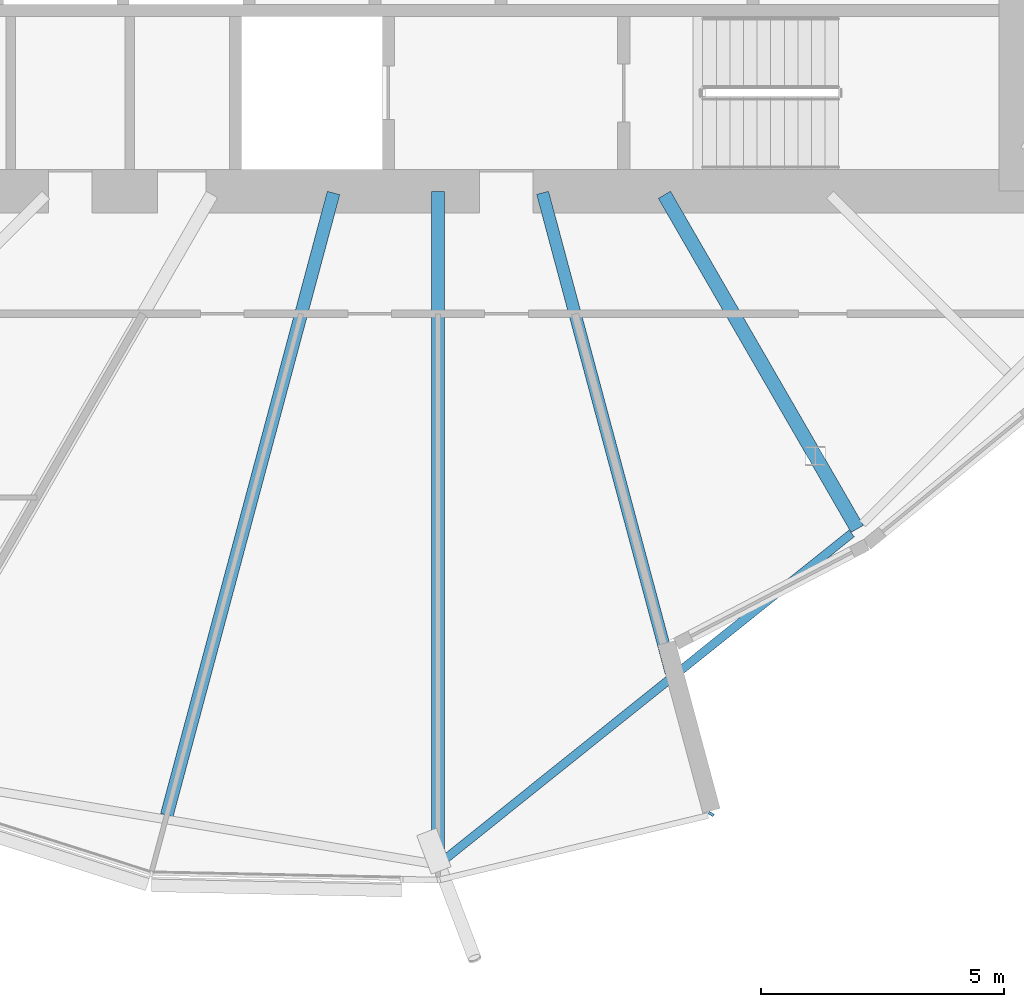
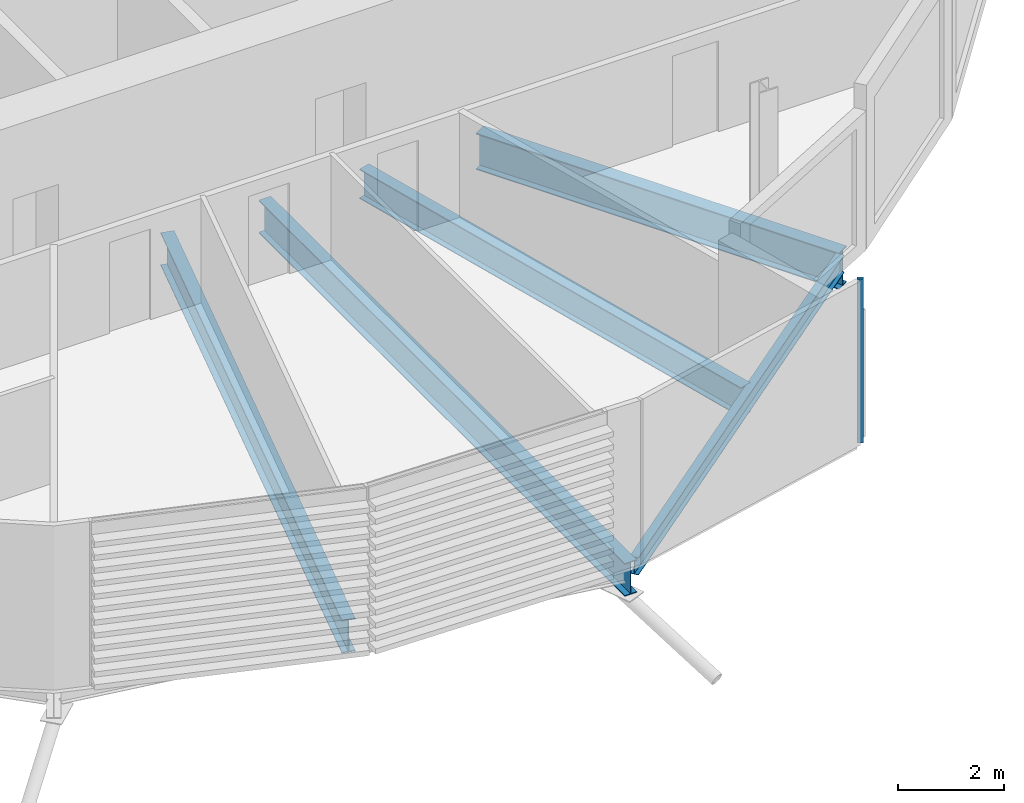
# One storey, part 12 of 38: 5 beams, 1 member, 1 element without a shape of its own.
"""IFC4 building model written with IfcOpenShell, lengths in metres."""

from ifc_helpers import new_model, si_unit, direction, frame, origin, origin_2d, place, context, subcontext, project, spatial, rectangle, i_section, extrude, material, material_profile, profile_set, type_object, element, aggregate, save


model = new_model("IFC4")

# Units and contexts
model_context = context("Model", 3, precision=1e-05, world=origin(), true_north=direction((0.0, 1.0)))
body_context = subcontext(model_context, "Body", "Model", "MODEL_VIEW")
ifc_project = project(units=[si_unit("LENGTHUNIT", "METRE"), si_unit("AREAUNIT", "SQUARE_METRE"), si_unit("VOLUMEUNIT", "CUBIC_METRE"), si_unit("PLANEANGLEUNIT", "RADIAN"), si_unit("MASSUNIT", "GRAM", prefix="KILO")], contexts=[model_context])

# Site, building, storey
site_placement = place(None, origin())
site = spatial("IfcSite", under=ifc_project, at=site_placement, CompositionType="ELEMENT")
building_placement = place(site_placement, origin())
building = spatial("IfcBuilding", under=site, at=building_placement, Name="Rimbun Link Towers", CompositionType="ELEMENT")
storey_placement = place(building_placement, frame((0.0, 0.0, 68.0)))
storey = spatial("IfcBuildingStorey", under=building, at=storey_placement, Name="L16", CompositionType="ELEMENT", Elevation=68.0)

# Curtain wall, member
ifc_material_1 = material(Name="Aluminium 6063-T6 and low-iron glass", Category="aluminium")
curtain_wall_type = type_object("IfcCurtainWallType", Name="CW1 unitised vision wall", PredefinedType="NOTDEFINED", material=ifc_material_1)
curtain_wall_placement = place(storey_placement, origin())
curtain_wall = element("IfcCurtainWall", 1, at=curtain_wall_placement, inside=storey, type_object=curtain_wall_type, Name="CW1 L16 T2", PredefinedType="NOTDEFINED")
ifc_material_2 = material(Name="Aluminium 6063-T6", Category="aluminium")
ifc_material_profile_1 = material_profile(ifc_material_2, rectangle(XDim=0.1201171875, YDim=0.06005859375, at=origin_2d()), Name="MULLION 60X120")
ifc_profile_set_1 = profile_set([ifc_material_profile_1], Name="Aluminium 6063-T6")
member_type = type_object("IfcMemberType", Name="CW1 mullion 60X120", PredefinedType="MULLION", material=ifc_profile_set_1)
member_placement = place(storey_placement, frame((37.3740234375, -20.826904296875, 0.0), z_axis=(0.0, 0.0, 1.0), x_axis=(0.859188553098, -0.511659095712, 0.0)))
member = element("IfcMember", 2, at=member_placement, type_object=member_type, Name="CW1 mullion", PredefinedType="MULLION", context=body_context, shape_type="SweptSolid", body=[
    extrude(rectangle(XDim=0.1201171875, YDim=0.06005859375, at=origin_2d()), origin(), (0.0, 0.0, 1.0), 3.800048828125),
])
aggregate(curtain_wall, [member])

# Beams
ifc_material_3 = material(Name="Steel S355J2", Category="steel")
ifc_material_profile_2 = material_profile(ifc_material_3, i_section(OverallWidth=0.177978515625, OverallDepth=0.406494140625, WebThickness=0.0078125, FlangeThickness=0.0126953125, at=origin_2d()), Name="UB 406x178x60")
ifc_profile_set_2 = profile_set([ifc_material_profile_2], Name="Steel S355J2")
beam_type_1 = type_object("IfcBeamType", Name="UB 406x178x60", PredefinedType="BEAM", material=ifc_profile_set_2)
beam_1_placement = place(storey_placement, frame((31.884033203125, -21.764404296875, -0.36328125), z_axis=(0.780405195774, 0.625274124212, 0.0), x_axis=(-0.625274124212, 0.780405195774, 0.0)))
element("IfcBeam", 3, at=beam_1_placement, inside=storey, type_object=beam_type_1, Name="Edge beam T2 L16 15-17", PredefinedType="BEAM", context=body_context, shape_type="SweptSolid", body=[
    extrude(i_section(OverallWidth=0.177978515625, OverallDepth=0.406494140625, WebThickness=0.0078125, FlangeThickness=0.0126953125, at=origin_2d()), origin(), (0.0, 0.0, 1.0), 10.74267578125),
])
ifc_material_4 = material(Name="Steel S355J2", Category="steel")
ifc_material_profile_3 = material_profile(ifc_material_4, i_section(OverallWidth=0.253662109375, OverallDepth=0.68359375, WebThickness=0.012451171875, FlangeThickness=0.01904296875, at=origin_2d()), Name="UB 686x254x140")
ifc_profile_set_3 = profile_set([ifc_material_profile_3], Name="Steel S355J2")
beam_type_2 = type_object("IfcBeamType", Name="UB 686x254x140", PredefinedType="BEAM", material=ifc_profile_set_3)
beam_2_placement = place(storey_placement, frame((33.902587890625, -8.03369140625, -0.501708984375), z_axis=(0.258820016811, -0.96592556592, 0.0), x_axis=(0.96592556592, 0.258820016811, 0.0)))
element("IfcBeam", 4, at=beam_2_placement, inside=storey, type_object=beam_type_2, Name="Radial beam T2 L16 16", PredefinedType="BEAM", context=body_context, shape_type="SweptSolid", body=[
    extrude(i_section(OverallWidth=0.253662109375, OverallDepth=0.68359375, WebThickness=0.012451171875, FlangeThickness=0.01904296875, at=origin_2d()), origin(), (0.0, 0.0, 1.0), 10.22607421875),
])
ifc_material_5 = material(Name="Steel S355J2", Category="steel")
ifc_material_profile_4 = material_profile(ifc_material_5, i_section(OverallWidth=0.2666015625, OverallDepth=0.76220703125, WebThickness=0.014404296875, FlangeThickness=0.021484375, at=origin_2d()), Name="UB 762x267x173")
ifc_profile_set_4 = profile_set([ifc_material_profile_4], Name="Steel S355J2")
beam_type_3 = type_object("IfcBeamType", Name="UB 762x267x173", PredefinedType="BEAM", material=ifc_profile_set_4)
beam_3_placement = place(storey_placement, frame((29.596923828125, -8.035400390625, -0.541015625), z_axis=(-0.258820400429, -0.965925463129, 0.0), x_axis=(0.965925463129, -0.258820400429, 0.0)))
element("IfcBeam", 5, at=beam_3_placement, inside=storey, type_object=beam_type_3, Name="Radial beam T2 L16 14", PredefinedType="BEAM", context=body_context, shape_type="SweptSolid", body=[
    extrude(i_section(OverallWidth=0.2666015625, OverallDepth=0.76220703125, WebThickness=0.014404296875, FlangeThickness=0.021484375, at=origin_2d()), origin(), (0.0, 0.0, 1.0), 13.267333984375),
])
beam_4_placement = place(storey_placement, frame((31.75, -8.0009765625, -0.541015625), z_axis=(0.0, -1.0, 0.0), x_axis=(1.0, 0.0, 0.0)))
element("IfcBeam", 6, at=beam_4_placement, inside=storey, type_object=beam_type_3, Name="Radial beam T2 L16 15", PredefinedType="BEAM", context=body_context, shape_type="SweptSolid", body=[
    extrude(i_section(OverallWidth=0.2666015625, OverallDepth=0.76220703125, WebThickness=0.014404296875, FlangeThickness=0.021484375, at=origin_2d()), origin(), (0.0, 0.0, 1.0), 13.870849609375),
])
ifc_material_6 = material(Name="Steel S355J2", Category="steel")
ifc_material_profile_5 = material_profile(ifc_material_6, i_section(OverallWidth=0.29248046875, OverallDepth=0.8408203125, WebThickness=0.0126953125, FlangeThickness=0.021728515625, at=origin_2d()), Name="UB 838x292x194")
ifc_profile_set_5 = profile_set([ifc_material_profile_5], Name="Steel S355J2")
beam_type_4 = type_object("IfcBeamType", Name="UB 838x292x194", PredefinedType="BEAM", material=ifc_profile_set_5)
beam_5_placement = place(storey_placement, frame((36.41162109375, -8.073974609375, -0.580322265625), z_axis=(0.499992902603, -0.86602950143, 0.0), x_axis=(0.86602950143, 0.499992902603, 0.0)))
element("IfcBeam", 7, at=beam_5_placement, inside=storey, type_object=beam_type_4, Name="Radial beam T2 L16 17", PredefinedType="BEAM", context=body_context, shape_type="SweptSolid", body=[
    extrude(i_section(OverallWidth=0.29248046875, OverallDepth=0.8408203125, WebThickness=0.0126953125, FlangeThickness=0.021728515625, at=origin_2d()), origin(), (0.0, 0.0, 1.0), 7.9443359375),
])

save(model, "model.ifc")
